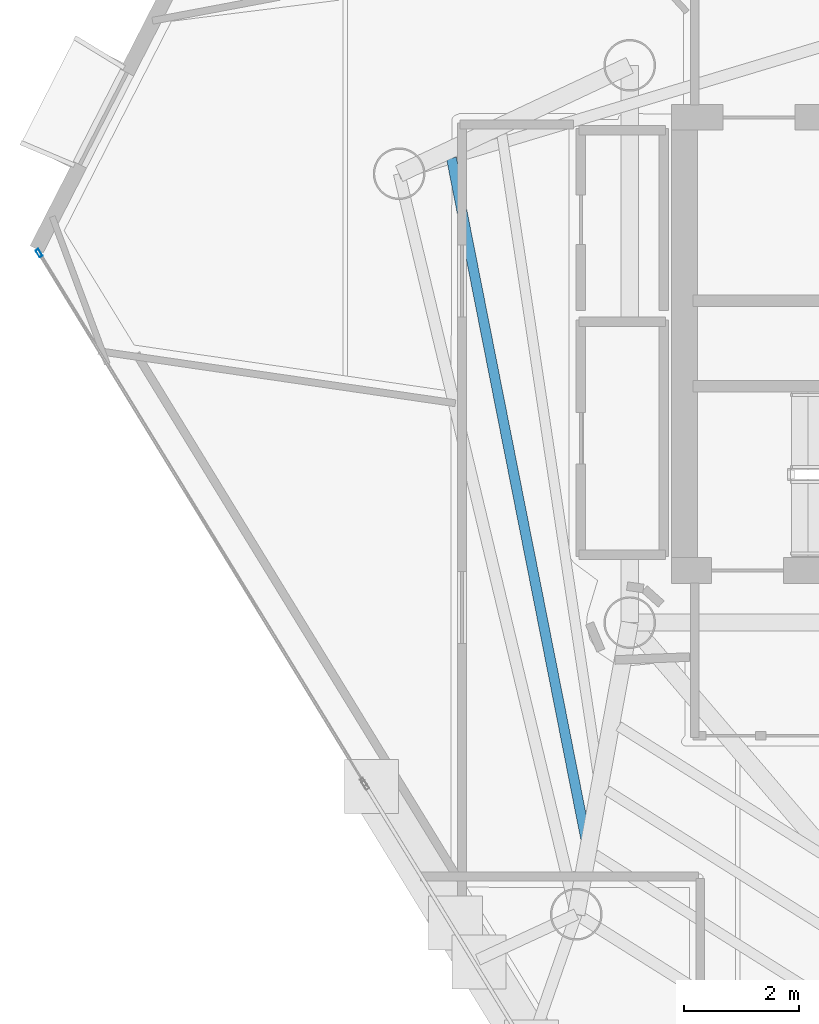
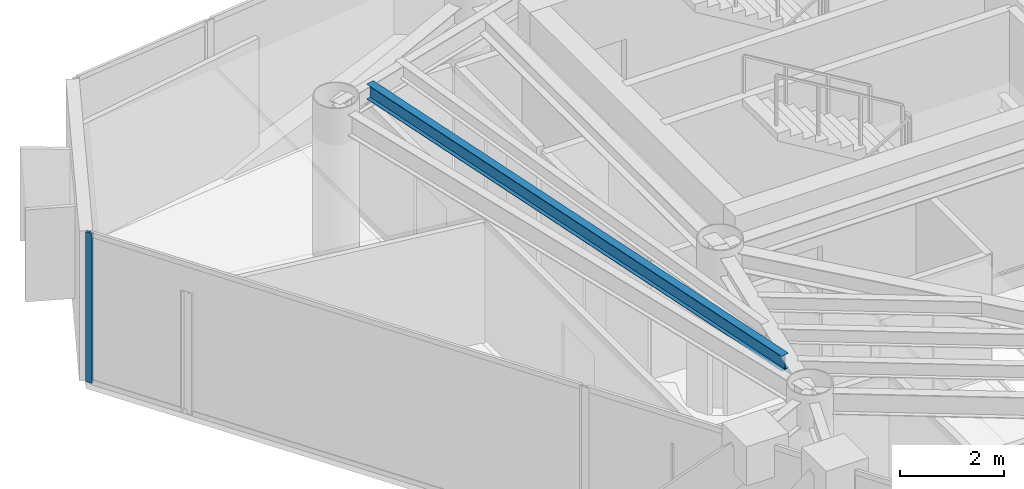
# One storey, part 8 of 23: 1 beam, 1 member, 1 element without a shape of its own.
"""IFC4 building model written with IfcOpenShell, lengths in metres."""

from ifc_helpers import new_model, si_unit, direction, frame, origin, origin_2d, place, context, subcontext, project, spatial, hollow_rectangle, i_section, extrude, material, layer, layer_set, material_profile, profile_set, type_object, element, aggregate, save


model = new_model("IFC4")

# Units and contexts
model_context = context("Model", 3, precision=1e-05, world=origin(), true_north=direction((0.0, 1.0)))
body_context = subcontext(model_context, "Body", "Model", "MODEL_VIEW")
ifc_project = project(units=[si_unit("LENGTHUNIT", "METRE"), si_unit("AREAUNIT", "SQUARE_METRE"), si_unit("VOLUMEUNIT", "CUBIC_METRE"), si_unit("PLANEANGLEUNIT", "RADIAN"), si_unit("MASSUNIT", "GRAM", prefix="KILO")], contexts=[model_context])

# Site, building, storey
site_placement = place(None, origin())
site = spatial("IfcSite", under=ifc_project, at=site_placement, CompositionType="ELEMENT")
building_placement = place(site_placement, origin())
building = spatial("IfcBuilding", under=site, at=building_placement, Name="Qianvela Tower", CompositionType="ELEMENT")
storey_placement = place(building_placement, frame((0.0, 0.0, 284.300048828125)))
storey = spatial("IfcBuildingStorey", under=building, at=storey_placement, Name="L73", CompositionType="ELEMENT", Elevation=284.300048828125)

# Beam
ifc_material_1 = material(Name="Steel Q355B", Category="steel")
ifc_material_profile_1 = material_profile(ifc_material_1, i_section(OverallWidth=0.175048828125, OverallDepth=0.35009765625, WebThickness=0.007080078125, FlangeThickness=0.010986328125, at=origin_2d()), Name="HN350x175x7x11")
ifc_profile_set_1 = profile_set([ifc_material_profile_1], Name="Steel Q355B")
beam_type = type_object("IfcBeamType", Name="BM-HN350-JOIST", PredefinedType="JOIST", material=ifc_profile_set_1)
beam_placement = place(storey_placement, frame((25.498046875, 31.934814453125, 3.343017578125), z_axis=(0.193576445355, -0.981085194977, 0.0), x_axis=(0.981085194977, 0.193576445355, 0.0)))
element("IfcBeam", 1, at=beam_placement, inside=storey, type_object=beam_type, Name="L73 Secondary Composite Floor Joist 3.3", PredefinedType="JOIST", context=body_context, shape_type="SweptSolid", body=[
    extrude(i_section(OverallWidth=0.175048828125, OverallDepth=0.35009765625, WebThickness=0.007080078125, FlangeThickness=0.010986328125, at=origin_2d()), origin(), (0.0, 0.0, 1.0), 12.13037109375),
])

# Curtain wall, member
ifc_material_2 = material(Name="Anodised Architectural Aluminium and Low-E Glass", Category="aluminium")
ifc_layer = layer(ifc_material_2, 0.14990234375)
ifc_layer_set = layer_set([ifc_layer], Name="Anodised Architectural Aluminium and Low-E Glass")
curtain_wall_type = type_object("IfcCurtainWallType", Name="CW-COLIV-Z78", PredefinedType="USERDEFINED", material=ifc_layer_set)
curtain_wall_placement = place(storey_placement, origin())
curtain_wall = element("IfcCurtainWall", 2, at=curtain_wall_placement, inside=storey, type_object=curtain_wall_type, Name="L73 CW-COLIV-Z78 Curtain Wall 04A", ObjectType="CURTAIN_WALL_SYSTEM", PredefinedType="USERDEFINED")
ifc_material_3 = material(Name="Anodised Architectural Aluminium 6063-T6", Category="aluminium")
ifc_material_profile_2 = material_profile(ifc_material_3, hollow_rectangle(XDim=0.06005859375, YDim=0.139892578125, WallThickness=0.00439453125, at=origin_2d()), Name="ALU-MULL-60x140")
ifc_profile_set_2 = profile_set([ifc_material_profile_2], Name="Anodised Architectural Aluminium 6063-T6")
member_type = type_object("IfcMemberType", Name="CW-COLIV-Z78-MULL", PredefinedType="MULLION", material=ifc_profile_set_2)
member_placement = place(storey_placement, frame((18.320068359375, 30.281982421875, 0.0), z_axis=(0.0, 0.0, 1.0), x_axis=(0.852456572072, 0.522798042011, 0.0)))
member = element("IfcMember", 3, at=member_placement, type_object=member_type, Name="CW-6 mullion 1", PredefinedType="MULLION", context=body_context, shape_type="SweptSolid", body=[
    extrude(hollow_rectangle(XDim=0.06005859375, YDim=0.139892578125, WallThickness=0.00439453125, at=origin_2d()), origin(), (0.0, 0.0, 1.0), 3.52001953125),
])
aggregate(curtain_wall, [member])

save(model, "model.ifc")
